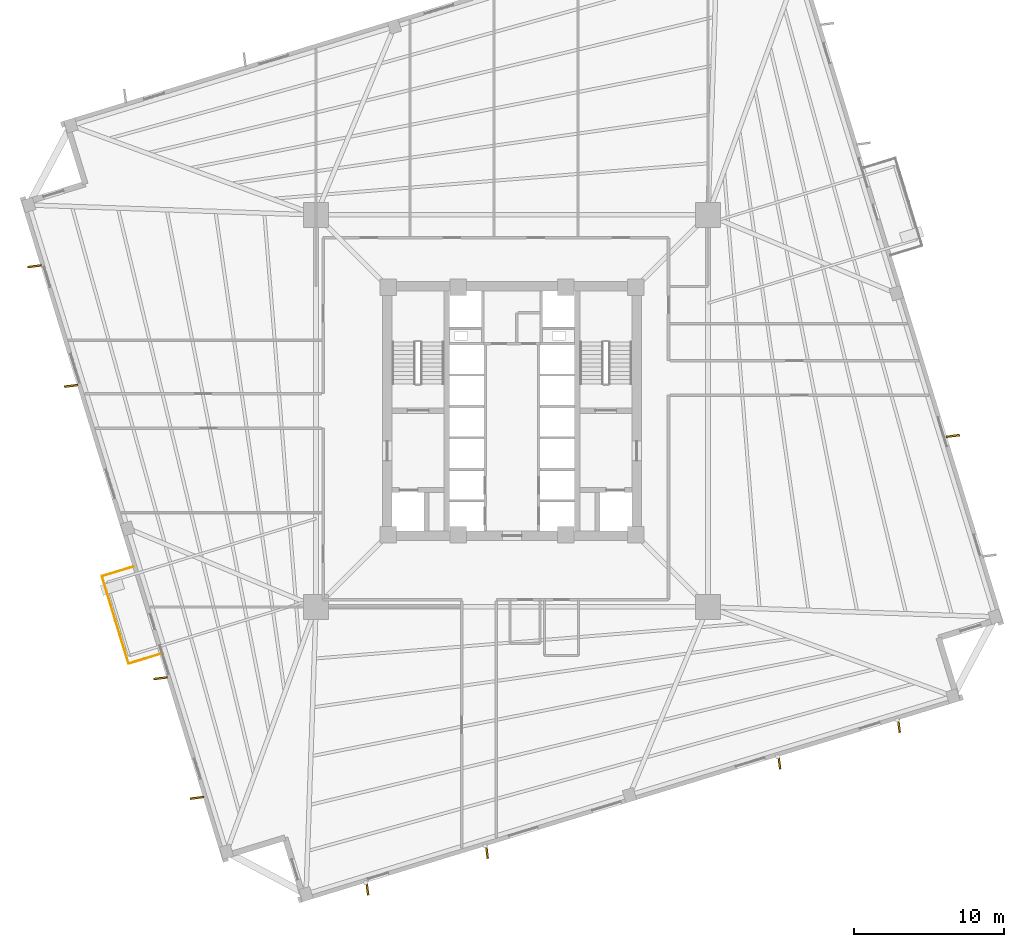
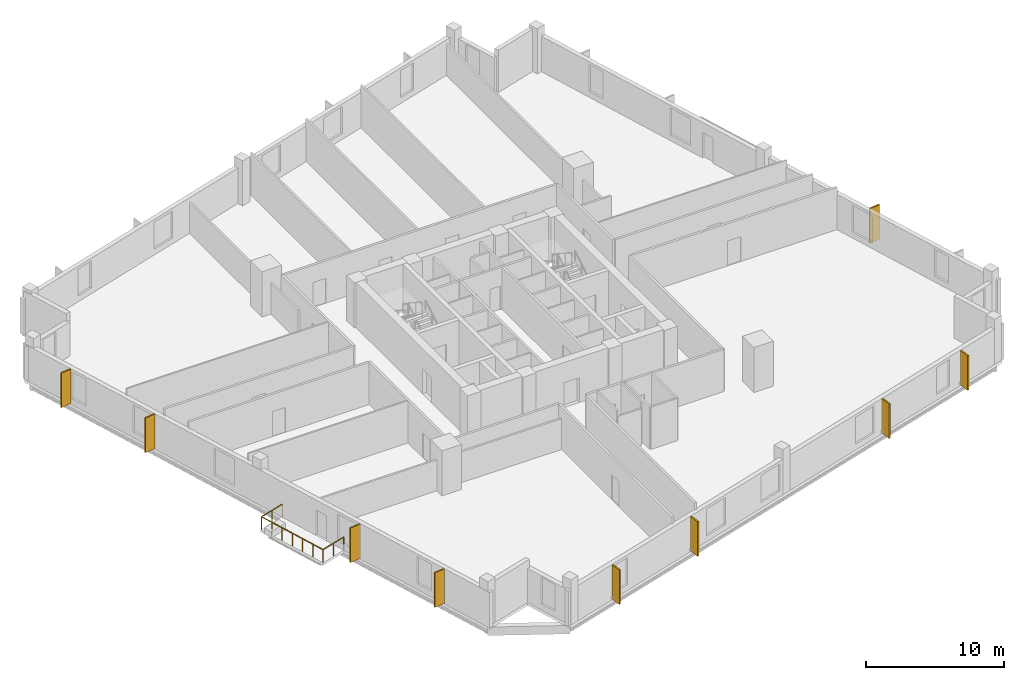
# One storey, part 7 of 9: 9 coverings, 3 railings.
"""IFC4 building model written with IfcOpenShell, lengths in metres."""

import ifcopenshell
import ifcopenshell.guid

model = None  # the IFC model being written
_history = None  # IfcOwnerHistory: only IFC2X3 demands one
_inside = {}  # id of a spatial element -> (the spatial element, [elements in it])
_under = {}  # id of a project, library or spatial element -> (it, [spatial elements below it])
_declared = {}  # id of a project -> (the project, [libraries it declares])
_typed = {}  # id of a type object -> (the type object, [elements of that type])
_made_of = {}  # id of a material, layer set ... -> (it, [elements and type objects made of it])


def new_model(schema):
    """Start an empty IFC model of exactly this schema.

    Asked for "IFC4X3", IfcOpenShell would pick the latest addendum, in which some entities
    have other attributes; the version numbers below select the first issue.
    IFC2X3 requires an IfcOwnerHistory on every rooted entity: one is made here for all.
    """
    global model, _history
    if schema == "IFC4X3":
        model = ifcopenshell.file(schema_version=(4, 3, 0, 0))
    else:
        model = ifcopenshell.file(schema=schema)
    _inside.clear()
    _under.clear()
    _declared.clear()
    _typed.clear()
    _made_of.clear()
    _history = None
    if model.schema == "IFC2X3":
        org = make("IfcOrganization", Name="unknown")
        user = make(
            "IfcPersonAndOrganization",
            ThePerson=make("IfcPerson", FamilyName="unknown"),
            TheOrganization=org,
        )
        app = make(
            "IfcApplication",
            ApplicationDeveloper=org,
            Version="unknown",
            ApplicationFullName="unknown",
            ApplicationIdentifier="unknown",
        )
        _history = make(
            "IfcOwnerHistory",
            OwningUser=user,
            OwningApplication=app,
            ChangeAction="ADDED",
            CreationDate=0,
        )
    return model


def make(cls, **values):
    """One entity of the class cls with the attributes given. An attribute that is None is left unset."""
    return model.create_entity(
        cls, **{name: value for name, value in values.items() if value is not None}
    )


def rooted(cls, **values):
    """An entity with a GlobalId (a new one), such as an element, a storey or a relation."""
    return make(cls, GlobalId=ifcopenshell.guid.new(), OwnerHistory=_history, **values)


def si_unit(unit_type, name, prefix=None):
    """IfcSIUnit, for example si_unit("LENGTHUNIT", "METRE", prefix="MILLI")."""
    return make("IfcSIUnit", UnitType=unit_type, Prefix=prefix, Name=name)


def assignment(units):
    """IfcUnitAssignment: the units of a project."""
    return None if units is None else make("IfcUnitAssignment", Units=units)


def point(xyz):
    """IfcCartesianPoint."""
    return None if xyz is None else make("IfcCartesianPoint", Coordinates=xyz)


def direction(xyz):
    """IfcDirection."""
    return None if xyz is None else make("IfcDirection", DirectionRatios=xyz)


def frame(location, z_axis=None, x_axis=None):
    """IfcAxis2Placement3D, a coordinate frame: its origin and axes. An axis left out is left unset."""
    return make(
        "IfcAxis2Placement3D",
        Location=point(location),
        Axis=direction(z_axis),
        RefDirection=direction(x_axis),
    )


def frame_2d(location, x_axis=None):
    """IfcAxis2Placement2D, a coordinate frame in the plane: its origin and x axis."""
    return make(
        "IfcAxis2Placement2D", Location=point(location), RefDirection=direction(x_axis)
    )


def origin():
    """The frame at (0, 0, 0) with its axes left unset."""
    return frame((0.0, 0.0, 0.0))


def origin_2d():
    """The frame at (0, 0) in the plane with its x axis left unset."""
    return frame_2d((0.0, 0.0))


def place(relative_to, where):
    """IfcLocalPlacement: puts the frame where relative to a parent placement (None: the world)."""
    return make(
        "IfcLocalPlacement", PlacementRelTo=relative_to, RelativePlacement=where
    )


def context(
    kind, dimensions, precision=None, world=None, true_north=None, identifier=None
):
    """IfcGeometricRepresentationContext, for example the 3D "Model" context."""
    return make(
        "IfcGeometricRepresentationContext",
        ContextIdentifier=identifier,
        ContextType=kind,
        CoordinateSpaceDimension=dimensions,
        Precision=precision,
        WorldCoordinateSystem=world,
        TrueNorth=true_north,
    )


def subcontext(parent, identifier, kind, view, scale=None):
    """IfcGeometricRepresentationSubContext, for example "Body" below "Model"."""
    return make(
        "IfcGeometricRepresentationSubContext",
        ContextIdentifier=identifier,
        ContextType=kind,
        ParentContext=parent,
        TargetScale=scale,
        TargetView=view,
    )


def project(units=None, contexts=None):
    """IfcProject with its units and contexts."""
    return rooted(
        "IfcProject",
        Name="project",
        RepresentationContexts=contexts,
        UnitsInContext=assignment(units),
    )


def spatial(cls, under=None, at=None, **own):
    """A site, building, storey or space (cls), placed at a placement, below another one or the project."""
    s = rooted(cls, ObjectPlacement=at, **own)
    if under is not None:
        _under.setdefault(under.id(), (under, []))[1].append(s)
    return s


def profile(cls, at=None, kind="AREA", **sizes):
    """A parametric profile (cls). Its sizes go by their IFC names, for example OverallWidth=200.0."""
    return make(cls, ProfileType=kind, Position=at, **sizes)


def rectangle(**sizes):
    """IfcRectangleProfileDef."""
    return profile("IfcRectangleProfileDef", **sizes)


def circle(**sizes):
    """IfcCircleProfileDef."""
    return profile("IfcCircleProfileDef", **sizes)


def extrude(swept, where, along, depth):
    """IfcExtrudedAreaSolid: the profile swept, set in the frame where, extruded along a direction by depth."""
    return make(
        "IfcExtrudedAreaSolid",
        SweptArea=swept,
        Position=where,
        ExtrudedDirection=direction(along),
        Depth=depth,
    )


def shape(context_of_items, identifier, shape_type, items):
    """IfcShapeRepresentation: the items that make up one representation, for example the "Body"."""
    return make(
        "IfcShapeRepresentation",
        ContextOfItems=context_of_items,
        RepresentationIdentifier=identifier,
        RepresentationType=shape_type,
        Items=items,
    )


def source(mapping_origin, context_of_items, identifier, shape_type, items):
    """IfcRepresentationMap: a shape defined once, which mapped items show again and again."""
    return make(
        "IfcRepresentationMap",
        MappingOrigin=mapping_origin,
        MappedRepresentation=shape(context_of_items, identifier, shape_type, items),
    )


def transform(
    local_origin,
    x_axis=None,
    y_axis=None,
    z_axis=None,
    scale=None,
    scale2=None,
    scale3=None,
    uniform=True,
):
    """IfcCartesianTransformationOperator3D, or its non-uniform kind. x_axis, y_axis, z_axis: its Axis1, 2, 3."""
    if uniform:
        return make(
            "IfcCartesianTransformationOperator3D",
            Axis1=direction(x_axis),
            Axis2=direction(y_axis),
            LocalOrigin=point(local_origin),
            Scale=scale,
            Axis3=direction(z_axis),
        )
    return make(
        "IfcCartesianTransformationOperator3DnonUniform",
        Axis1=direction(x_axis),
        Axis2=direction(y_axis),
        LocalOrigin=point(local_origin),
        Scale=scale,
        Axis3=direction(z_axis),
        Scale2=scale2,
        Scale3=scale3,
    )


def mapped(mapping_source, mapping_target):
    """IfcMappedItem: shows the shape of a source again, moved by a transform."""
    return make(
        "IfcMappedItem", MappingSource=mapping_source, MappingTarget=mapping_target
    )


def material(Name=None, Category=None):
    """IfcMaterial."""
    return make("IfcMaterial", Name=Name, Category=Category)


def layer(
    of_material, thickness, ventilated=None, Name=None, Category=None, Priority=None
):
    """IfcMaterialLayer: one layer of a wall or slab, of a material (None: an air gap)."""
    return make(
        "IfcMaterialLayer",
        Material=of_material,
        LayerThickness=thickness,
        IsVentilated=ventilated,
        Name=Name,
        Category=Category,
        Priority=Priority,
    )


def layer_set(layers, Name=None):
    """IfcMaterialLayerSet."""
    return make("IfcMaterialLayerSet", MaterialLayers=layers, LayerSetName=Name)


def made_of(thing, what):
    """Note that an element or type object is made of a material, layer set ...; save() writes the relation."""
    if what is not None:
        _made_of.setdefault(what.id(), (what, []))[1].append(thing)
    return thing


def type_object(cls, material=None, **own):
    """A type object (cls), such as IfcWallType, which elements share."""
    return made_of(rooted(cls, **own), material)


def element(
    cls,
    number,
    at=None,
    inside=None,
    cuts=None,
    type_object=None,
    material=None,
    context=None,
    identifier="Body",
    shape_type=None,
    held_by="IfcProductDefinitionShape",
    body=None,
    shapes=None,
    **own,
):
    """One element of the class cls, such as IfcWall. Its Tag is "e" and its number.

    at: its placement. inside: the storey or other place that contains it. cuts: it is an
    opening in that element (IfcRelVoidsElement). A single representation is given by context,
    identifier, shape_type and body (its items); several are given by shapes. held_by: the class
    of the entity that holds the representations. save() writes the other relations.
    """
    e = rooted(cls, Tag="e%d" % number, ObjectPlacement=at, **own)
    if body is not None:
        shapes = [shape(context, identifier, shape_type, body)]
    if shapes is not None:
        e.Representation = make(held_by, Representations=shapes)
    if inside is not None:
        _inside.setdefault(inside.id(), (inside, []))[1].append(e)
    if cuts is not None:
        rooted(
            "IfcRelVoidsElement", RelatingBuildingElement=cuts, RelatedOpeningElement=e
        )
    if type_object is not None:
        _typed.setdefault(type_object.id(), (type_object, []))[1].append(e)
    return made_of(e, material)


def aggregate(whole, parts):
    """IfcRelAggregates: a whole, such as a stair, and the parts it consists of."""
    return rooted("IfcRelAggregates", RelatingObject=whole, RelatedObjects=parts)


def save(model, path):
    """Write the relations noted so far, then the file.

    IfcRelAggregates (storeys below a building ...), IfcRelContainedInSpatialStructure (elements
    in a storey), IfcRelDefinesByType, IfcRelAssociatesMaterial and IfcRelDeclares: one each for
    every whole, place, type object, material and project.
    """
    for whole, parts in _under.values():
        aggregate(whole, parts)
    for where, things in _inside.values():
        rooted(
            "IfcRelContainedInSpatialStructure",
            RelatedElements=things,
            RelatingStructure=where,
        )
    for kind, things in _typed.values():
        rooted("IfcRelDefinesByType", RelatedObjects=things, RelatingType=kind)
    for what, things in _made_of.values():
        rooted("IfcRelAssociatesMaterial", RelatedObjects=things, RelatingMaterial=what)
    for by, libraries in _declared.values():
        rooted("IfcRelDeclares", RelatingContext=by, RelatedDefinitions=libraries)
    model.write(path)


model = new_model("IFC4")

# Units and contexts
model_context = context("Model", 3, precision=1e-05, world=origin(), true_north=direction((0.0, 1.0)))
body_context = subcontext(model_context, "Body", "Model", "MODEL_VIEW")
ifc_project = project(units=[si_unit("LENGTHUNIT", "METRE"), si_unit("AREAUNIT", "SQUARE_METRE"), si_unit("VOLUMEUNIT", "CUBIC_METRE"), si_unit("PLANEANGLEUNIT", "RADIAN"), si_unit("MASSUNIT", "GRAM", prefix="KILO"), si_unit("THERMODYNAMICTEMPERATUREUNIT", "KELVIN")], contexts=[model_context])

# Site, building, storey
site_placement = place(None, origin())
site = spatial("IfcSite", under=ifc_project, at=site_placement, CompositionType="ELEMENT")
building_placement = place(site_placement, origin())
building = spatial("IfcBuilding", under=site, at=building_placement, Name="Kosmvard Interchange Tower", CompositionType="ELEMENT")
storey_placement = place(building_placement, frame((0.0, 0.0, 83.199951171875)))
storey = spatial("IfcBuildingStorey", under=building, at=storey_placement, Name="L19", CompositionType="ELEMENT", Elevation=83.199951171875)

# Coverings
ifc_material_1 = material(Name="Architectural anodised aluminium", Category="aluminium")
ifc_layer = layer(ifc_material_1, 0.1201171875, Name="Architectural anodised aluminium")
ifc_layer_set = layer_set([ifc_layer], Name="Architectural anodised aluminium")
covering_type = type_object("IfcCoveringType", Name="Rotating Vertical Sun-Breaker Fin 900x120 Aluminium", PredefinedType="CLADDING", material=ifc_layer_set)
shared_shape_1 = source(origin(), body_context, "Body", "SweptSolid", [
    extrude(rectangle(XDim=0.89990234375, YDim=0.1201171875, at=origin_2d()), origin(), (0.0, 0.0, 1.0), 3.06005859375),
])
for number, where, z_axis, x_axis, name in (
    (1, (-9.6572265625, -31.865966796875, 0.0400390625), (0.0, 0.0, 1.0), (0.127237724904, -0.991872250525, 0.0), "L19 Rotating Vertical Sun-Breaker Fin 01"),
    (2, (-1.673583984375, -29.425048828125, 0.0400390625), (0.0, 0.0, 1.0), (0.127237724904, -0.991872250525, 0.0), "L19 Rotating Vertical Sun-Breaker Fin 02"),
    (3, (17.841796875, -23.45849609375, 0.0400390625), (0.0, 0.0, 1.0), (0.127237724904, -0.991872250525, 0.0), "L19 Rotating Vertical Sun-Breaker Fin 03"),
    (4, (25.825439453125, -21.017822265625, 0.0400390625), (0.0, 0.0, 1.0), (0.127237724904, -0.991872250525, 0.0), "L19 Rotating Vertical Sun-Breaker Fin 04"),
    (5, (29.425048828125, -1.673583984375, 0.0400390625), (0.0, 0.0, 1.0), (0.991872250525, 0.127237724904, 0.0), "L19 Rotating Vertical Sun-Breaker Fin 06"),
    (6, (-31.865966796875, 9.6572265625, 0.0400390625), (0.0, 0.0, 1.0), (-0.991872250525, -0.127237724904, 0.0), "L19 Rotating Vertical Sun-Breaker Fin 13"),
    (7, (-29.425048828125, 1.673583984375, 0.0400390625), (0.0, 0.0, 1.0), (-0.991872250525, -0.127237724904, 0.0), "L19 Rotating Vertical Sun-Breaker Fin 14"),
    (8, (-23.45849609375, -17.841796875, 0.0400390625), (0.0, 0.0, 1.0), (-0.991872250525, -0.127237724904, 0.0), "L19 Rotating Vertical Sun-Breaker Fin 15"),
    (9, (-21.017822265625, -25.825439453125, 0.0400390625), (0.0, 0.0, 1.0), (-0.991872250525, -0.127237724904, 0.0), "L19 Rotating Vertical Sun-Breaker Fin 16"),
):
    element("IfcCovering", number, at=place(storey_placement, frame(where, z_axis=z_axis, x_axis=x_axis)), inside=storey, type_object=covering_type, Name=name, PredefinedType="CLADDING", context=body_context, shape_type="MappedRepresentation", body=[
        mapped(shared_shape_1, transform((0.0, 0.0, 0.0), scale=1.0)),
    ])

# Railings
ifc_material_2 = material(Name="Steel S355", Category="steel")
railing_type = type_object("IfcRailingType", Name="Observation & Balcony Glass-Infill Balustrade 1150", PredefinedType="BALUSTRADE", material=ifc_material_2)
shared_shape_2 = source(origin(), body_context, "Body", "SweptSolid", [
    extrude(circle(Radius=0.02392578125, at=origin_2d()), frame((0.0, 0.0, 1.1259765625), z_axis=(0.956329170869, 0.292291835236, 0.0), x_axis=(-0.292291835236, 0.956329170869, 0.0)), (0.0, 0.0, 1.0), 2.2001953125),
    extrude(circle(Radius=0.02099609375, at=origin_2d()), origin(), (0.0, 0.0, 1.0), 1.101806640625),
    extrude(circle(Radius=0.02099609375, at=origin_2d()), frame((1.052001953125, 0.321533203125, 0.0)), (0.0, 0.0, 1.0), 1.101806640625),
    extrude(circle(Radius=0.02099609375, at=origin_2d()), frame((2.10400390625, 0.64306640625, 0.0)), (0.0, 0.0, 1.0), 1.101806640625),
])
railing_1_placement = place(storey_placement, frame((-25.58642578125, -16.86767578125, 0.0)))
element("IfcRailing", 10, at=railing_1_placement, inside=storey, type_object=railing_type, Name="L19 Outdoor Terrace Guard BAL-L19-W-C", PredefinedType="BALUSTRADE", context=body_context, shape_type="MappedRepresentation", body=[
    mapped(shared_shape_2, transform((0.0, 0.0, 0.0), scale=1.0)),
])
shared_shape_3 = source(origin(), body_context, "Body", "SweptSolid", [
    extrude(circle(Radius=0.02392578125, at=origin_2d()), frame((0.0, 0.0, 1.1259765625), z_axis=(-0.956329170869, -0.292291835236, 0.0), x_axis=(0.292291835236, -0.956329170869, 0.0)), (0.0, 0.0, 1.0), 2.2001953125),
    extrude(circle(Radius=0.02099609375, at=origin_2d()), origin(), (0.0, 0.0, 1.0), 1.101806640625),
    extrude(circle(Radius=0.02099609375, at=origin_2d()), frame((-1.052001953125, -0.321533203125, 0.0)), (0.0, 0.0, 1.0), 1.101806640625),
    extrude(circle(Radius=0.02099609375, at=origin_2d()), frame((-2.10400390625, -0.64306640625, 0.0)), (0.0, 0.0, 1.0), 1.101806640625),
])
railing_2_placement = place(storey_placement, frame((-25.265869140625, -10.39111328125, 0.0)))
element("IfcRailing", 11, at=railing_2_placement, inside=storey, type_object=railing_type, Name="L19 Outdoor Terrace Guard BAL-L19-W-A", PredefinedType="BALUSTRADE", context=body_context, shape_type="MappedRepresentation", body=[
    mapped(shared_shape_3, transform((0.0, 0.0, 0.0), scale=1.0)),
])
shared_shape_4 = source(origin(), body_context, "Body", "SweptSolid", [
    extrude(circle(Radius=0.02392578125, at=origin_2d()), frame((0.0, 0.0, 1.1259765625), z_axis=(0.292366986664, -0.956306198406, 0.0), x_axis=(0.956306198406, 0.292366986664, 0.0)), (0.0, 0.0, 1.0), 6.10009765625),
    extrude(circle(Radius=0.02099609375, at=origin_2d()), origin(), (0.0, 0.0, 1.0), 1.101806640625),
    extrude(circle(Radius=0.02099609375, at=origin_2d()), frame((0.29736328125, -0.97216796875, 0.0)), (0.0, 0.0, 1.0), 1.101806640625),
    extrude(circle(Radius=0.02099609375, at=origin_2d()), frame((0.594482421875, -1.944580078125, 0.0)), (0.0, 0.0, 1.0), 1.101806640625),
    extrude(circle(Radius=0.02099609375, at=origin_2d()), frame((0.8916015625, -2.916748046875, 0.0)), (0.0, 0.0, 1.0), 1.101806640625),
    extrude(circle(Radius=0.02099609375, at=origin_2d()), frame((1.18896484375, -3.888916015625, 0.0)), (0.0, 0.0, 1.0), 1.101806640625),
    extrude(circle(Radius=0.02099609375, at=origin_2d()), frame((1.486328125, -4.861328125, 0.0)), (0.0, 0.0, 1.0), 1.101806640625),
    extrude(circle(Radius=0.02099609375, at=origin_2d()), frame((1.783447265625, -5.83349609375, 0.0)), (0.0, 0.0, 1.0), 1.101806640625),
])
railing_3_placement = place(storey_placement, frame((-27.369873046875, -11.0341796875, 0.0)))
element("IfcRailing", 12, at=railing_3_placement, inside=storey, type_object=railing_type, Name="L19 Outdoor Terrace Guard BAL-L19-W-B", PredefinedType="BALUSTRADE", context=body_context, shape_type="MappedRepresentation", body=[
    mapped(shared_shape_4, transform((0.0, 0.0, 0.0), scale=1.0)),
])

save(model, "model.ifc")
